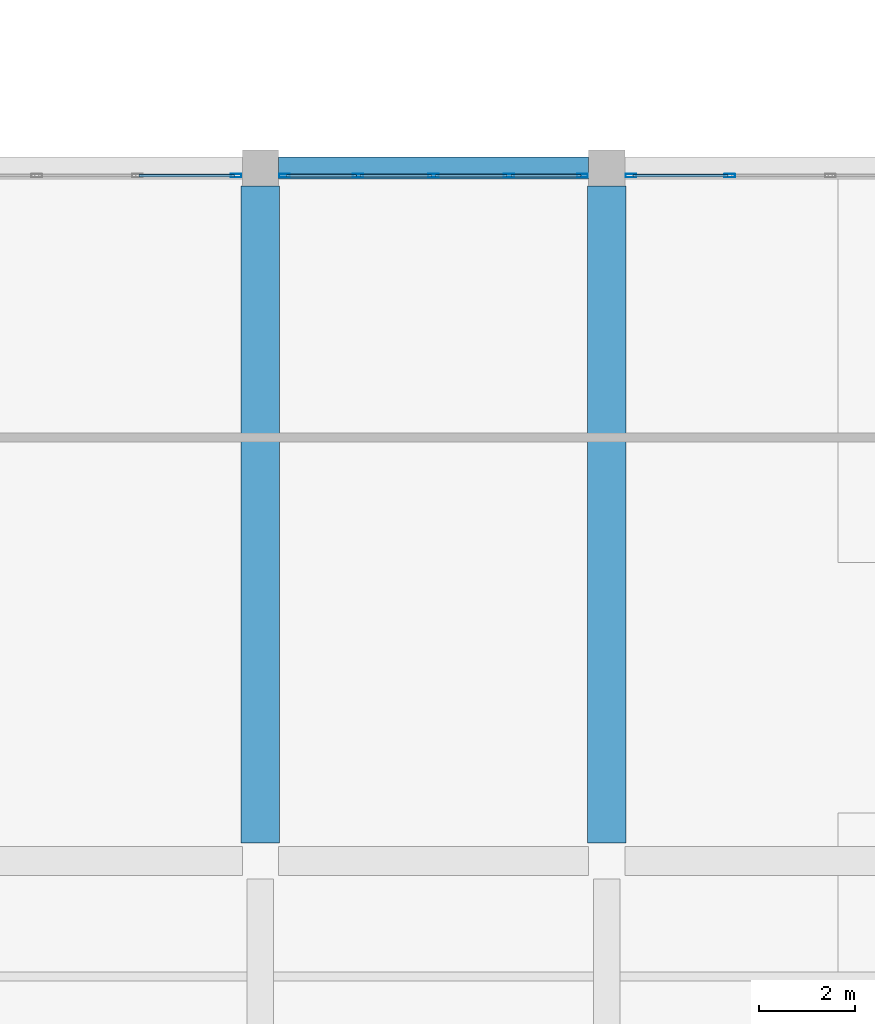
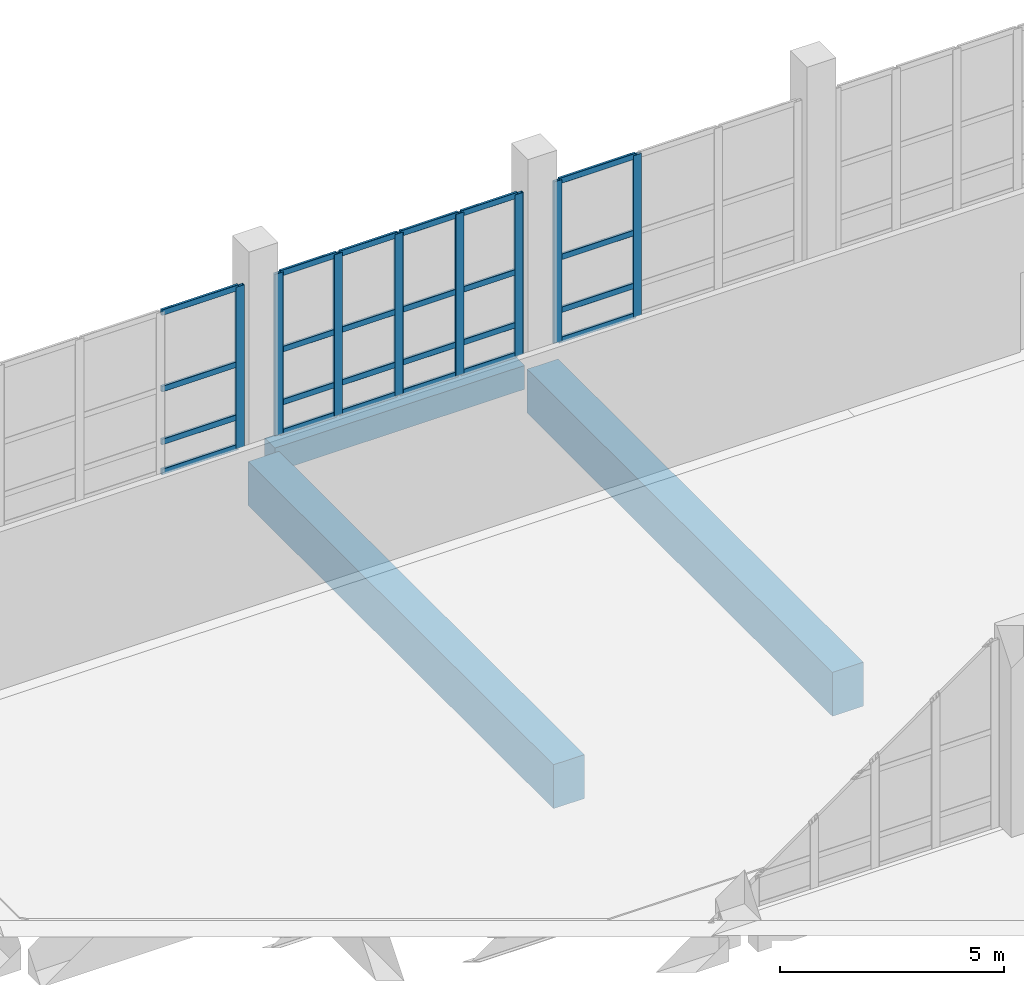
# One storey, part 23 of 137: 32 members, 3 beams, 3 elements without a shape of their own.
"""IFC4 building model written with IfcOpenShell, lengths in metres."""

from ifc_helpers import new_model, si_unit, direction, frame, origin, origin_2d, place, context, subcontext, project, spatial, rectangle, hollow_rectangle, extrude, material, material_profile, profile_set, type_object, element, aggregate, save


model = new_model("IFC4")

# Units and contexts
model_context = context("Model", 3, precision=1e-05, world=origin(), true_north=direction((0.0, 1.0)))
body_context = subcontext(model_context, "Body", "Model", "MODEL_VIEW")
ifc_project = project(units=[si_unit("LENGTHUNIT", "METRE"), si_unit("AREAUNIT", "SQUARE_METRE"), si_unit("VOLUMEUNIT", "CUBIC_METRE"), si_unit("PLANEANGLEUNIT", "RADIAN"), si_unit("MASSUNIT", "GRAM", prefix="KILO")], contexts=[model_context])

# Site, building, storey
site_placement = place(None, origin())
site = spatial("IfcSite", under=ifc_project, at=site_placement, CompositionType="ELEMENT")
building_placement = place(site_placement, origin())
building = spatial("IfcBuilding", under=site, at=building_placement, Name="Kalmorath City Hall", CompositionType="ELEMENT")
storey_placement = place(building_placement, origin())
storey = spatial("IfcBuildingStorey", under=building, at=storey_placement, Name="L00", CompositionType="ELEMENT", Elevation=0.0)

# Beams
ifc_material_1 = material(Name="Concrete C50/60", Category="concrete")
ifc_material_profile_1 = material_profile(ifc_material_1, rectangle(XDim=0.800048828125, YDim=1.199951171875, at=origin_2d()), Name="RC-TG-800X1200")
ifc_profile_set_1 = profile_set([ifc_material_profile_1], Name="Concrete C50/60")
beam_type_1 = type_object("IfcBeamType", Name="Concrete deep girder 800x1200", PredefinedType="BEAM", material=ifc_profile_set_1)
for number, where, z_axis, x_axis, name in (
    (1, (50.39990234375, 29.175048828125, -0.904052734375), (0.0, 1.0, 0.0), (-1.0, 0.0, 0.0), "L00 girder TG2 Y8/5-7"),
    (2, (57.60009765625, 29.175048828125, -0.904052734375), (0.0, 1.0, 0.0), (-1.0, 0.0, 0.0), "L00 girder TG2 Y9/5-7"),
):
    element("IfcBeam", number, at=place(storey_placement, frame(where, z_axis=z_axis, x_axis=x_axis)), inside=storey, type_object=beam_type_1, Name=name, PredefinedType="BEAM", context=body_context, shape_type="SweptSolid", body=[
        extrude(rectangle(XDim=0.800048828125, YDim=1.199951171875, at=origin_2d()), origin(), (0.0, 0.0, 1.0), 13.64990234375),
    ])
ifc_material_2 = material(Name="Concrete C40/50", Category="concrete")
ifc_material_profile_2 = material_profile(ifc_material_2, rectangle(XDim=0.449951171875, YDim=0.64990234375, at=origin_2d()), Name="RC-BM-450X650")
ifc_profile_set_2 = profile_set([ifc_material_profile_2], Name="Concrete C40/50")
beam_type_2 = type_object("IfcBeamType", Name="Concrete spandrel beam 450x650", PredefinedType="SPANDREL", material=ifc_profile_set_2)
beam_placement = place(storey_placement, frame((50.77490234375, 43.199951171875, -0.62890625), z_axis=(1.0, 0.0, 0.0), x_axis=(0.0, 1.0, 0.0)))
element("IfcBeam", 3, at=beam_placement, inside=storey, type_object=beam_type_2, Name="L00 girder CB5 X8-9/7", PredefinedType="SPANDREL", context=body_context, shape_type="SweptSolid", body=[
    extrude(rectangle(XDim=0.449951171875, YDim=0.64990234375, at=origin_2d()), origin(), (0.0, 0.0, 1.0), 6.4501953125),
])

# Curtain wall, member
ifc_material_3 = material(Name="Anodised aluminium and laminated glass", Category="aluminium")
curtain_wall_type_1 = type_object("IfcCurtainWallType", Name="Unitised hurricane curtain wall 6270x4411 M2100", PredefinedType="NOTDEFINED", material=ifc_material_3)
curtain_wall_1_placement = place(storey_placement, origin())
curtain_wall_1 = element("IfcCurtainWall", 4, at=curtain_wall_1_placement, inside=storey, type_object=curtain_wall_type_1, Name="L00 curtain wall CW-63X44M21 #29", PredefinedType="NOTDEFINED")
ifc_material_4 = material(Name="Anodised aluminium framing", Category="aluminium")
ifc_material_profile_3 = material_profile(ifc_material_4, hollow_rectangle(XDim=0.074951171875, YDim=0.219970703125, WallThickness=0.00390625, InnerFilletRadius=0.00390625, OuterFilletRadius=0.008056640625, at=origin_2d()), Name="ALU-MUL-220X75X4")
ifc_profile_set_3 = profile_set([ifc_material_profile_3], Name="Anodised aluminium framing")
member_type_1 = type_object("IfcMemberType", Name="Curtain-wall primary mullion 220x75", PredefinedType="MULLION", material=ifc_profile_set_3)
member_1_placement = place(storey_placement, frame((49.8974609375, 43.0400390625, 0.0), z_axis=(0.0, 0.0, 1.0), x_axis=(0.0, 1.0, 0.0)))
member_1 = element("IfcMember", 5, at=member_1_placement, type_object=member_type_1, Name="CW-63X44M21 mullion 4", PredefinedType="MULLION", context=body_context, shape_type="SweptSolid", body=[
    extrude(hollow_rectangle(XDim=0.074951171875, YDim=0.219970703125, WallThickness=0.00390625, InnerFilletRadius=0.00390625, OuterFilletRadius=0.008056640625, at=origin_2d()), origin(), (0.0, 0.0, 1.0), 4.410888671875),
])

# Curtain wall, members
ifc_material_5 = material(Name="Anodised aluminium and laminated glass", Category="aluminium")
curtain_wall_type_2 = type_object("IfcCurtainWallType", Name="Unitised hurricane curtain wall 6270x4411 M1500", PredefinedType="NOTDEFINED", material=ifc_material_5)
curtain_wall_2_placement = place(storey_placement, origin())
curtain_wall_2 = element("IfcCurtainWall", 6, at=curtain_wall_2_placement, inside=storey, type_object=curtain_wall_type_2, Name="L00 curtain wall CW-63X44M15 #30", PredefinedType="NOTDEFINED")
member_2_placement = place(storey_placement, frame((50.902587890625, 43.0400390625, 0.0), z_axis=(0.0, 0.0, 1.0), x_axis=(0.0, 1.0, 0.0)))
member_2 = element("IfcMember", 7, at=member_2_placement, type_object=member_type_1, Name="CW-63X44M15 mullion 1", PredefinedType="MULLION", context=body_context, shape_type="SweptSolid", body=[
    extrude(hollow_rectangle(XDim=0.074951171875, YDim=0.219970703125, WallThickness=0.00390625, InnerFilletRadius=0.00390625, OuterFilletRadius=0.008056640625, at=origin_2d()), origin(), (0.0, 0.0, 1.0), 4.410888671875),
])
member_3_placement = place(storey_placement, frame((52.4326171875, 43.0400390625, 0.0), z_axis=(0.0, 0.0, 1.0), x_axis=(0.0, 1.0, 0.0)))
member_3 = element("IfcMember", 8, at=member_3_placement, type_object=member_type_1, Name="CW-63X44M15 mullion 2", PredefinedType="MULLION", context=body_context, shape_type="SweptSolid", body=[
    extrude(hollow_rectangle(XDim=0.074951171875, YDim=0.219970703125, WallThickness=0.00390625, InnerFilletRadius=0.00390625, OuterFilletRadius=0.008056640625, at=origin_2d()), origin(), (0.0, 0.0, 1.0), 4.410888671875),
])
member_4_placement = place(storey_placement, frame((54.0, 43.0400390625, 0.0), z_axis=(0.0, 0.0, 1.0), x_axis=(0.0, 1.0, 0.0)))
member_4 = element("IfcMember", 9, at=member_4_placement, type_object=member_type_1, Name="CW-63X44M15 mullion 3", PredefinedType="MULLION", context=body_context, shape_type="SweptSolid", body=[
    extrude(hollow_rectangle(XDim=0.074951171875, YDim=0.219970703125, WallThickness=0.00390625, InnerFilletRadius=0.00390625, OuterFilletRadius=0.008056640625, at=origin_2d()), origin(), (0.0, 0.0, 1.0), 4.410888671875),
])
member_5_placement = place(storey_placement, frame((55.5673828125, 43.0400390625, 0.0), z_axis=(0.0, 0.0, 1.0), x_axis=(0.0, 1.0, 0.0)))
member_5 = element("IfcMember", 10, at=member_5_placement, type_object=member_type_1, Name="CW-63X44M15 mullion 4", PredefinedType="MULLION", context=body_context, shape_type="SweptSolid", body=[
    extrude(hollow_rectangle(XDim=0.074951171875, YDim=0.219970703125, WallThickness=0.00390625, InnerFilletRadius=0.00390625, OuterFilletRadius=0.008056640625, at=origin_2d()), origin(), (0.0, 0.0, 1.0), 4.410888671875),
])
member_6_placement = place(storey_placement, frame((57.097412109375, 43.0400390625, 0.0), z_axis=(0.0, 0.0, 1.0), x_axis=(0.0, 1.0, 0.0)))
member_6 = element("IfcMember", 11, at=member_6_placement, type_object=member_type_1, Name="CW-63X44M15 mullion 5", PredefinedType="MULLION", context=body_context, shape_type="SweptSolid", body=[
    extrude(hollow_rectangle(XDim=0.074951171875, YDim=0.219970703125, WallThickness=0.00390625, InnerFilletRadius=0.00390625, OuterFilletRadius=0.008056640625, at=origin_2d()), origin(), (0.0, 0.0, 1.0), 4.410888671875),
])

ifc_material_6 = material(Name="Anodised aluminium and laminated glass", Category="aluminium")
curtain_wall_type_3 = type_object("IfcCurtainWallType", Name="Unitised hurricane curtain wall 6270x4411 M1800", PredefinedType="NOTDEFINED", material=ifc_material_6)
curtain_wall_3_placement = place(storey_placement, origin())
curtain_wall_3 = element("IfcCurtainWall", 12, at=curtain_wall_3_placement, inside=storey, type_object=curtain_wall_type_3, Name="L00 curtain wall CW-63X44M18 #31", PredefinedType="NOTDEFINED")
member_7_placement = place(storey_placement, frame((58.1025390625, 43.0400390625, 0.0), z_axis=(0.0, 0.0, 1.0), x_axis=(0.0, 1.0, 0.0)))
member_7 = element("IfcMember", 13, at=member_7_placement, type_object=member_type_1, Name="CW-63X44M18 mullion 1", PredefinedType="MULLION", context=body_context, shape_type="SweptSolid", body=[
    extrude(hollow_rectangle(XDim=0.074951171875, YDim=0.219970703125, WallThickness=0.00390625, InnerFilletRadius=0.00390625, OuterFilletRadius=0.008056640625, at=origin_2d()), origin(), (0.0, 0.0, 1.0), 4.410888671875),
])
member_8_placement = place(storey_placement, frame((60.155029296875, 43.0400390625, 0.0), z_axis=(0.0, 0.0, 1.0), x_axis=(0.0, 1.0, 0.0)))
member_8 = element("IfcMember", 14, at=member_8_placement, type_object=member_type_1, Name="CW-63X44M18 mullion 2", PredefinedType="MULLION", context=body_context, shape_type="SweptSolid", body=[
    extrude(hollow_rectangle(XDim=0.074951171875, YDim=0.219970703125, WallThickness=0.00390625, InnerFilletRadius=0.00390625, OuterFilletRadius=0.008056640625, at=origin_2d()), origin(), (0.0, 0.0, 1.0), 4.410888671875),
])

# Member
ifc_material_7 = material(Name="Anodised aluminium framing", Category="aluminium")
ifc_material_profile_4 = material_profile(ifc_material_7, hollow_rectangle(XDim=0.06494140625, YDim=0.159912109375, WallThickness=0.00390625, InnerFilletRadius=0.00390625, OuterFilletRadius=0.008056640625, at=origin_2d()), Name="ALU-TRN-160X65X4")
ifc_profile_set_4 = profile_set([ifc_material_profile_4], Name="Anodised aluminium framing")
member_type_2 = type_object("IfcMemberType", Name="Curtain-wall primary transom 160x65", PredefinedType="USERDEFINED", material=ifc_profile_set_4)
member_9_placement = place(storey_placement, frame((47.882568359375, 43.0400390625, 0.032470703125), z_axis=(1.0, 0.0, 0.0), x_axis=(0.0, 1.0, 0.0)))
member_9 = element("IfcMember", 15, at=member_9_placement, type_object=member_type_2, Name="CW-63X44M21 transom 3.1", ObjectType="TRANSOM", PredefinedType="USERDEFINED", context=body_context, shape_type="SweptSolid", body=[
    extrude(hollow_rectangle(XDim=0.06494140625, YDim=0.159912109375, WallThickness=0.00390625, InnerFilletRadius=0.00390625, OuterFilletRadius=0.008056640625, at=origin_2d()), origin(), (0.0, 0.0, 1.0), 1.9775390625),
])

member_10_placement = place(storey_placement, frame((47.882568359375, 43.0400390625, 0.85009765625), z_axis=(1.0, 0.0, 0.0), x_axis=(0.0, 1.0, 0.0)))
member_10 = element("IfcMember", 16, at=member_10_placement, type_object=member_type_2, Name="CW-63X44M21 transom 3.2", ObjectType="TRANSOM", PredefinedType="USERDEFINED", context=body_context, shape_type="SweptSolid", body=[
    extrude(hollow_rectangle(XDim=0.06494140625, YDim=0.159912109375, WallThickness=0.00390625, InnerFilletRadius=0.00390625, OuterFilletRadius=0.008056640625, at=origin_2d()), origin(), (0.0, 0.0, 1.0), 1.9775390625),
])

member_11_placement = place(storey_placement, frame((47.882568359375, 43.0400390625, 2.2939453125), z_axis=(1.0, 0.0, 0.0), x_axis=(0.0, 1.0, 0.0)))
member_11 = element("IfcMember", 17, at=member_11_placement, type_object=member_type_2, Name="CW-63X44M21 transom 3.3", ObjectType="TRANSOM", PredefinedType="USERDEFINED", context=body_context, shape_type="SweptSolid", body=[
    extrude(hollow_rectangle(XDim=0.06494140625, YDim=0.159912109375, WallThickness=0.00390625, InnerFilletRadius=0.00390625, OuterFilletRadius=0.008056640625, at=origin_2d()), origin(), (0.0, 0.0, 1.0), 1.9775390625),
])

member_12_placement = place(storey_placement, frame((47.882568359375, 43.0400390625, 4.37841796875), z_axis=(1.0, 0.0, 0.0), x_axis=(0.0, 1.0, 0.0)))
member_12 = element("IfcMember", 18, at=member_12_placement, type_object=member_type_2, Name="CW-63X44M21 transom 3.4", ObjectType="TRANSOM", PredefinedType="USERDEFINED", context=body_context, shape_type="SweptSolid", body=[
    extrude(hollow_rectangle(XDim=0.06494140625, YDim=0.159912109375, WallThickness=0.00390625, InnerFilletRadius=0.00390625, OuterFilletRadius=0.008056640625, at=origin_2d()), origin(), (0.0, 0.0, 1.0), 1.9775390625),
])

aggregate(curtain_wall_1, [member_1, member_9, member_10, member_11, member_12])

member_13_placement = place(storey_placement, frame((50.93994140625, 43.0400390625, 0.032470703125), z_axis=(1.0, 0.0, 0.0), x_axis=(0.0, 1.0, 0.0)))
member_13 = element("IfcMember", 19, at=member_13_placement, type_object=member_type_2, Name="CW-63X44M15 transom 1.1", ObjectType="TRANSOM", PredefinedType="USERDEFINED", context=body_context, shape_type="SweptSolid", body=[
    extrude(hollow_rectangle(XDim=0.06494140625, YDim=0.159912109375, WallThickness=0.00390625, InnerFilletRadius=0.00390625, OuterFilletRadius=0.008056640625, at=origin_2d()), origin(), (0.0, 0.0, 1.0), 1.455078125),
])

member_14_placement = place(storey_placement, frame((50.93994140625, 43.0400390625, 0.85009765625), z_axis=(1.0, 0.0, 0.0), x_axis=(0.0, 1.0, 0.0)))
member_14 = element("IfcMember", 20, at=member_14_placement, type_object=member_type_2, Name="CW-63X44M15 transom 1.2", ObjectType="TRANSOM", PredefinedType="USERDEFINED", context=body_context, shape_type="SweptSolid", body=[
    extrude(hollow_rectangle(XDim=0.06494140625, YDim=0.159912109375, WallThickness=0.00390625, InnerFilletRadius=0.00390625, OuterFilletRadius=0.008056640625, at=origin_2d()), origin(), (0.0, 0.0, 1.0), 1.455078125),
])

member_15_placement = place(storey_placement, frame((50.93994140625, 43.0400390625, 2.2939453125), z_axis=(1.0, 0.0, 0.0), x_axis=(0.0, 1.0, 0.0)))
member_15 = element("IfcMember", 21, at=member_15_placement, type_object=member_type_2, Name="CW-63X44M15 transom 1.3", ObjectType="TRANSOM", PredefinedType="USERDEFINED", context=body_context, shape_type="SweptSolid", body=[
    extrude(hollow_rectangle(XDim=0.06494140625, YDim=0.159912109375, WallThickness=0.00390625, InnerFilletRadius=0.00390625, OuterFilletRadius=0.008056640625, at=origin_2d()), origin(), (0.0, 0.0, 1.0), 1.455078125),
])

member_16_placement = place(storey_placement, frame((50.93994140625, 43.0400390625, 4.37841796875), z_axis=(1.0, 0.0, 0.0), x_axis=(0.0, 1.0, 0.0)))
member_16 = element("IfcMember", 22, at=member_16_placement, type_object=member_type_2, Name="CW-63X44M15 transom 1.4", ObjectType="TRANSOM", PredefinedType="USERDEFINED", context=body_context, shape_type="SweptSolid", body=[
    extrude(hollow_rectangle(XDim=0.06494140625, YDim=0.159912109375, WallThickness=0.00390625, InnerFilletRadius=0.00390625, OuterFilletRadius=0.008056640625, at=origin_2d()), origin(), (0.0, 0.0, 1.0), 1.455078125),
])

member_17_placement = place(storey_placement, frame((52.469970703125, 43.0400390625, 0.032470703125), z_axis=(1.0, 0.0, 0.0), x_axis=(0.0, 1.0, 0.0)))
member_17 = element("IfcMember", 23, at=member_17_placement, type_object=member_type_2, Name="CW-63X44M15 transom 2.1", ObjectType="TRANSOM", PredefinedType="USERDEFINED", context=body_context, shape_type="SweptSolid", body=[
    extrude(hollow_rectangle(XDim=0.06494140625, YDim=0.159912109375, WallThickness=0.00390625, InnerFilletRadius=0.00390625, OuterFilletRadius=0.008056640625, at=origin_2d()), origin(), (0.0, 0.0, 1.0), 1.492431640625),
])

member_18_placement = place(storey_placement, frame((52.469970703125, 43.0400390625, 0.85009765625), z_axis=(1.0, 0.0, 0.0), x_axis=(0.0, 1.0, 0.0)))
member_18 = element("IfcMember", 24, at=member_18_placement, type_object=member_type_2, Name="CW-63X44M15 transom 2.2", ObjectType="TRANSOM", PredefinedType="USERDEFINED", context=body_context, shape_type="SweptSolid", body=[
    extrude(hollow_rectangle(XDim=0.06494140625, YDim=0.159912109375, WallThickness=0.00390625, InnerFilletRadius=0.00390625, OuterFilletRadius=0.008056640625, at=origin_2d()), origin(), (0.0, 0.0, 1.0), 1.492431640625),
])

member_19_placement = place(storey_placement, frame((52.469970703125, 43.0400390625, 2.2939453125), z_axis=(1.0, 0.0, 0.0), x_axis=(0.0, 1.0, 0.0)))
member_19 = element("IfcMember", 25, at=member_19_placement, type_object=member_type_2, Name="CW-63X44M15 transom 2.3", ObjectType="TRANSOM", PredefinedType="USERDEFINED", context=body_context, shape_type="SweptSolid", body=[
    extrude(hollow_rectangle(XDim=0.06494140625, YDim=0.159912109375, WallThickness=0.00390625, InnerFilletRadius=0.00390625, OuterFilletRadius=0.008056640625, at=origin_2d()), origin(), (0.0, 0.0, 1.0), 1.492431640625),
])

member_20_placement = place(storey_placement, frame((52.469970703125, 43.0400390625, 4.37841796875), z_axis=(1.0, 0.0, 0.0), x_axis=(0.0, 1.0, 0.0)))
member_20 = element("IfcMember", 26, at=member_20_placement, type_object=member_type_2, Name="CW-63X44M15 transom 2.4", ObjectType="TRANSOM", PredefinedType="USERDEFINED", context=body_context, shape_type="SweptSolid", body=[
    extrude(hollow_rectangle(XDim=0.06494140625, YDim=0.159912109375, WallThickness=0.00390625, InnerFilletRadius=0.00390625, OuterFilletRadius=0.008056640625, at=origin_2d()), origin(), (0.0, 0.0, 1.0), 1.492431640625),
])

member_21_placement = place(storey_placement, frame((54.03759765625, 43.0400390625, 0.032470703125), z_axis=(1.0, 0.0, 0.0), x_axis=(0.0, 1.0, 0.0)))
member_21 = element("IfcMember", 27, at=member_21_placement, type_object=member_type_2, Name="CW-63X44M15 transom 3.1", ObjectType="TRANSOM", PredefinedType="USERDEFINED", context=body_context, shape_type="SweptSolid", body=[
    extrude(hollow_rectangle(XDim=0.06494140625, YDim=0.159912109375, WallThickness=0.00390625, InnerFilletRadius=0.00390625, OuterFilletRadius=0.008056640625, at=origin_2d()), origin(), (0.0, 0.0, 1.0), 1.492431640625),
])

member_22_placement = place(storey_placement, frame((54.03759765625, 43.0400390625, 0.85009765625), z_axis=(1.0, 0.0, 0.0), x_axis=(0.0, 1.0, 0.0)))
member_22 = element("IfcMember", 28, at=member_22_placement, type_object=member_type_2, Name="CW-63X44M15 transom 3.2", ObjectType="TRANSOM", PredefinedType="USERDEFINED", context=body_context, shape_type="SweptSolid", body=[
    extrude(hollow_rectangle(XDim=0.06494140625, YDim=0.159912109375, WallThickness=0.00390625, InnerFilletRadius=0.00390625, OuterFilletRadius=0.008056640625, at=origin_2d()), origin(), (0.0, 0.0, 1.0), 1.492431640625),
])

member_23_placement = place(storey_placement, frame((54.03759765625, 43.0400390625, 2.2939453125), z_axis=(1.0, 0.0, 0.0), x_axis=(0.0, 1.0, 0.0)))
member_23 = element("IfcMember", 29, at=member_23_placement, type_object=member_type_2, Name="CW-63X44M15 transom 3.3", ObjectType="TRANSOM", PredefinedType="USERDEFINED", context=body_context, shape_type="SweptSolid", body=[
    extrude(hollow_rectangle(XDim=0.06494140625, YDim=0.159912109375, WallThickness=0.00390625, InnerFilletRadius=0.00390625, OuterFilletRadius=0.008056640625, at=origin_2d()), origin(), (0.0, 0.0, 1.0), 1.492431640625),
])

member_24_placement = place(storey_placement, frame((54.03759765625, 43.0400390625, 4.37841796875), z_axis=(1.0, 0.0, 0.0), x_axis=(0.0, 1.0, 0.0)))
member_24 = element("IfcMember", 30, at=member_24_placement, type_object=member_type_2, Name="CW-63X44M15 transom 3.4", ObjectType="TRANSOM", PredefinedType="USERDEFINED", context=body_context, shape_type="SweptSolid", body=[
    extrude(hollow_rectangle(XDim=0.06494140625, YDim=0.159912109375, WallThickness=0.00390625, InnerFilletRadius=0.00390625, OuterFilletRadius=0.008056640625, at=origin_2d()), origin(), (0.0, 0.0, 1.0), 1.492431640625),
])

member_25_placement = place(storey_placement, frame((55.60498046875, 43.0400390625, 0.032470703125), z_axis=(1.0, 0.0, 0.0), x_axis=(0.0, 1.0, 0.0)))
member_25 = element("IfcMember", 31, at=member_25_placement, type_object=member_type_2, Name="CW-63X44M15 transom 4.1", ObjectType="TRANSOM", PredefinedType="USERDEFINED", context=body_context, shape_type="SweptSolid", body=[
    extrude(hollow_rectangle(XDim=0.06494140625, YDim=0.159912109375, WallThickness=0.00390625, InnerFilletRadius=0.00390625, OuterFilletRadius=0.008056640625, at=origin_2d()), origin(), (0.0, 0.0, 1.0), 1.455078125),
])

member_26_placement = place(storey_placement, frame((55.60498046875, 43.0400390625, 0.85009765625), z_axis=(1.0, 0.0, 0.0), x_axis=(0.0, 1.0, 0.0)))
member_26 = element("IfcMember", 32, at=member_26_placement, type_object=member_type_2, Name="CW-63X44M15 transom 4.2", ObjectType="TRANSOM", PredefinedType="USERDEFINED", context=body_context, shape_type="SweptSolid", body=[
    extrude(hollow_rectangle(XDim=0.06494140625, YDim=0.159912109375, WallThickness=0.00390625, InnerFilletRadius=0.00390625, OuterFilletRadius=0.008056640625, at=origin_2d()), origin(), (0.0, 0.0, 1.0), 1.455078125),
])

member_27_placement = place(storey_placement, frame((55.60498046875, 43.0400390625, 2.2939453125), z_axis=(1.0, 0.0, 0.0), x_axis=(0.0, 1.0, 0.0)))
member_27 = element("IfcMember", 33, at=member_27_placement, type_object=member_type_2, Name="CW-63X44M15 transom 4.3", ObjectType="TRANSOM", PredefinedType="USERDEFINED", context=body_context, shape_type="SweptSolid", body=[
    extrude(hollow_rectangle(XDim=0.06494140625, YDim=0.159912109375, WallThickness=0.00390625, InnerFilletRadius=0.00390625, OuterFilletRadius=0.008056640625, at=origin_2d()), origin(), (0.0, 0.0, 1.0), 1.455078125),
])

member_28_placement = place(storey_placement, frame((55.60498046875, 43.0400390625, 4.37841796875), z_axis=(1.0, 0.0, 0.0), x_axis=(0.0, 1.0, 0.0)))
member_28 = element("IfcMember", 34, at=member_28_placement, type_object=member_type_2, Name="CW-63X44M15 transom 4.4", ObjectType="TRANSOM", PredefinedType="USERDEFINED", context=body_context, shape_type="SweptSolid", body=[
    extrude(hollow_rectangle(XDim=0.06494140625, YDim=0.159912109375, WallThickness=0.00390625, InnerFilletRadius=0.00390625, OuterFilletRadius=0.008056640625, at=origin_2d()), origin(), (0.0, 0.0, 1.0), 1.455078125),
])

aggregate(curtain_wall_2, [member_2, member_3, member_4, member_5, member_6, member_13, member_14, member_15, member_16, member_17, member_18, member_19, member_20, member_21, member_22, member_23, member_24, member_25, member_26, member_27, member_28])

member_29_placement = place(storey_placement, frame((58.139892578125, 43.0400390625, 0.032470703125), z_axis=(1.0, 0.0, 0.0), x_axis=(0.0, 1.0, 0.0)))
member_29 = element("IfcMember", 35, at=member_29_placement, type_object=member_type_2, Name="CW-63X44M18 transom 1.1", ObjectType="TRANSOM", PredefinedType="USERDEFINED", context=body_context, shape_type="SweptSolid", body=[
    extrude(hollow_rectangle(XDim=0.06494140625, YDim=0.159912109375, WallThickness=0.00390625, InnerFilletRadius=0.00390625, OuterFilletRadius=0.008056640625, at=origin_2d()), origin(), (0.0, 0.0, 1.0), 1.9775390625),
])

member_30_placement = place(storey_placement, frame((58.139892578125, 43.0400390625, 0.85009765625), z_axis=(1.0, 0.0, 0.0), x_axis=(0.0, 1.0, 0.0)))
member_30 = element("IfcMember", 36, at=member_30_placement, type_object=member_type_2, Name="CW-63X44M18 transom 1.2", ObjectType="TRANSOM", PredefinedType="USERDEFINED", context=body_context, shape_type="SweptSolid", body=[
    extrude(hollow_rectangle(XDim=0.06494140625, YDim=0.159912109375, WallThickness=0.00390625, InnerFilletRadius=0.00390625, OuterFilletRadius=0.008056640625, at=origin_2d()), origin(), (0.0, 0.0, 1.0), 1.9775390625),
])

member_31_placement = place(storey_placement, frame((58.139892578125, 43.0400390625, 2.2939453125), z_axis=(1.0, 0.0, 0.0), x_axis=(0.0, 1.0, 0.0)))
member_31 = element("IfcMember", 37, at=member_31_placement, type_object=member_type_2, Name="CW-63X44M18 transom 1.3", ObjectType="TRANSOM", PredefinedType="USERDEFINED", context=body_context, shape_type="SweptSolid", body=[
    extrude(hollow_rectangle(XDim=0.06494140625, YDim=0.159912109375, WallThickness=0.00390625, InnerFilletRadius=0.00390625, OuterFilletRadius=0.008056640625, at=origin_2d()), origin(), (0.0, 0.0, 1.0), 1.9775390625),
])

member_32_placement = place(storey_placement, frame((58.139892578125, 43.0400390625, 4.37841796875), z_axis=(1.0, 0.0, 0.0), x_axis=(0.0, 1.0, 0.0)))
member_32 = element("IfcMember", 38, at=member_32_placement, type_object=member_type_2, Name="CW-63X44M18 transom 1.4", ObjectType="TRANSOM", PredefinedType="USERDEFINED", context=body_context, shape_type="SweptSolid", body=[
    extrude(hollow_rectangle(XDim=0.06494140625, YDim=0.159912109375, WallThickness=0.00390625, InnerFilletRadius=0.00390625, OuterFilletRadius=0.008056640625, at=origin_2d()), origin(), (0.0, 0.0, 1.0), 1.9775390625),
])

aggregate(curtain_wall_3, [member_7, member_8, member_29, member_30, member_31, member_32])

save(model, "model.ifc")
